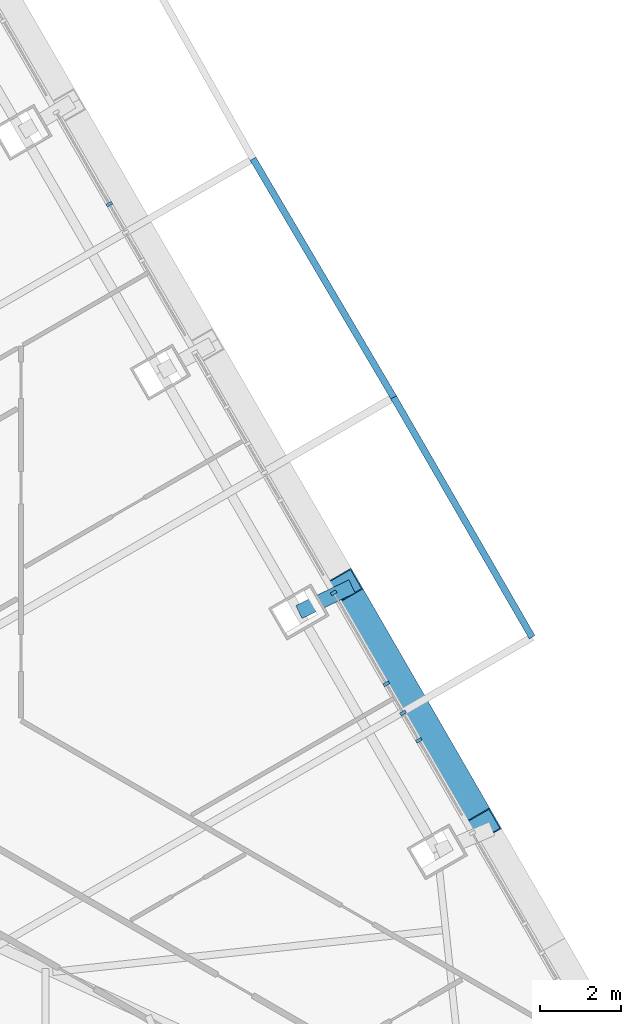
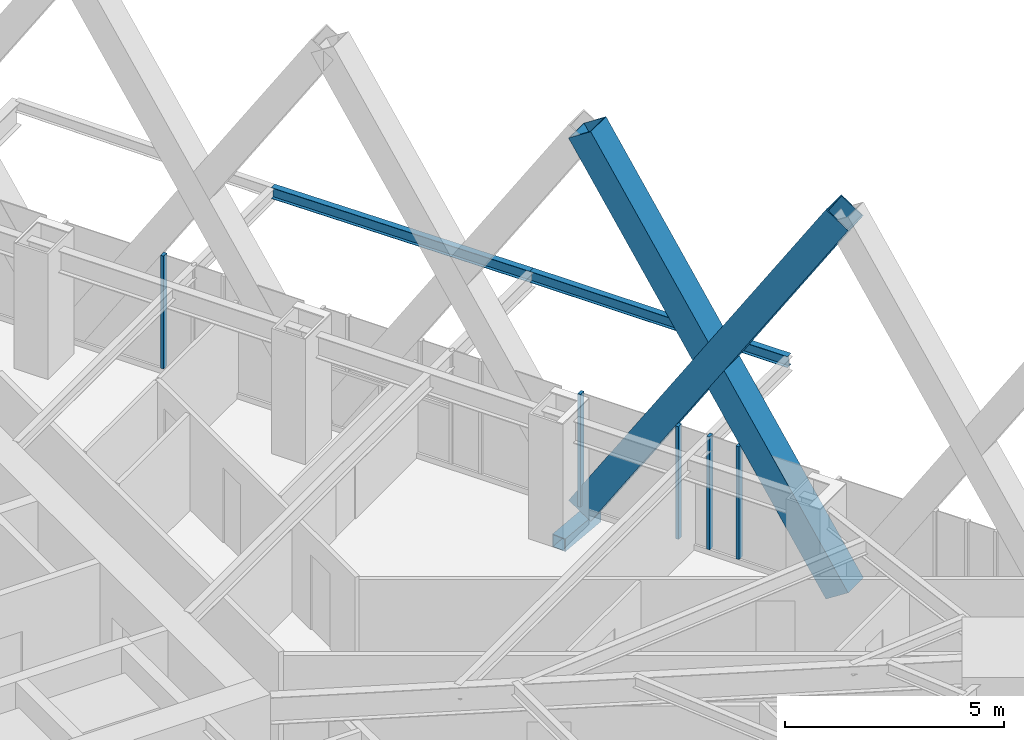
# One storey, part 10 of 24: 8 members, 2 beams, 1 element without a shape of its own.
"""IFC4 building model written with IfcOpenShell, lengths in metres."""

import ifcopenshell
import ifcopenshell.guid

model = None  # the IFC model being written
_history = None  # IfcOwnerHistory: only IFC2X3 demands one
_inside = {}  # id of a spatial element -> (the spatial element, [elements in it])
_under = {}  # id of a project, library or spatial element -> (it, [spatial elements below it])
_declared = {}  # id of a project -> (the project, [libraries it declares])
_typed = {}  # id of a type object -> (the type object, [elements of that type])
_made_of = {}  # id of a material, layer set ... -> (it, [elements and type objects made of it])


def new_model(schema):
    """Start an empty IFC model of exactly this schema.

    Asked for "IFC4X3", IfcOpenShell would pick the latest addendum, in which some entities
    have other attributes; the version numbers below select the first issue.
    IFC2X3 requires an IfcOwnerHistory on every rooted entity: one is made here for all.
    """
    global model, _history
    if schema == "IFC4X3":
        model = ifcopenshell.file(schema_version=(4, 3, 0, 0))
    else:
        model = ifcopenshell.file(schema=schema)
    _inside.clear()
    _under.clear()
    _declared.clear()
    _typed.clear()
    _made_of.clear()
    _history = None
    if model.schema == "IFC2X3":
        org = make("IfcOrganization", Name="unknown")
        user = make(
            "IfcPersonAndOrganization",
            ThePerson=make("IfcPerson", FamilyName="unknown"),
            TheOrganization=org,
        )
        app = make(
            "IfcApplication",
            ApplicationDeveloper=org,
            Version="unknown",
            ApplicationFullName="unknown",
            ApplicationIdentifier="unknown",
        )
        _history = make(
            "IfcOwnerHistory",
            OwningUser=user,
            OwningApplication=app,
            ChangeAction="ADDED",
            CreationDate=0,
        )
    return model


def make(cls, **values):
    """One entity of the class cls with the attributes given. An attribute that is None is left unset."""
    return model.create_entity(
        cls, **{name: value for name, value in values.items() if value is not None}
    )


def rooted(cls, **values):
    """An entity with a GlobalId (a new one), such as an element, a storey or a relation."""
    return make(cls, GlobalId=ifcopenshell.guid.new(), OwnerHistory=_history, **values)


def si_unit(unit_type, name, prefix=None):
    """IfcSIUnit, for example si_unit("LENGTHUNIT", "METRE", prefix="MILLI")."""
    return make("IfcSIUnit", UnitType=unit_type, Prefix=prefix, Name=name)


def assignment(units):
    """IfcUnitAssignment: the units of a project."""
    return None if units is None else make("IfcUnitAssignment", Units=units)


def point(xyz):
    """IfcCartesianPoint."""
    return None if xyz is None else make("IfcCartesianPoint", Coordinates=xyz)


def direction(xyz):
    """IfcDirection."""
    return None if xyz is None else make("IfcDirection", DirectionRatios=xyz)


def frame(location, z_axis=None, x_axis=None):
    """IfcAxis2Placement3D, a coordinate frame: its origin and axes. An axis left out is left unset."""
    return make(
        "IfcAxis2Placement3D",
        Location=point(location),
        Axis=direction(z_axis),
        RefDirection=direction(x_axis),
    )


def frame_2d(location, x_axis=None):
    """IfcAxis2Placement2D, a coordinate frame in the plane: its origin and x axis."""
    return make(
        "IfcAxis2Placement2D", Location=point(location), RefDirection=direction(x_axis)
    )


def origin():
    """The frame at (0, 0, 0) with its axes left unset."""
    return frame((0.0, 0.0, 0.0))


def origin_2d():
    """The frame at (0, 0) in the plane with its x axis left unset."""
    return frame_2d((0.0, 0.0))


def place(relative_to, where):
    """IfcLocalPlacement: puts the frame where relative to a parent placement (None: the world)."""
    return make(
        "IfcLocalPlacement", PlacementRelTo=relative_to, RelativePlacement=where
    )


def context(
    kind, dimensions, precision=None, world=None, true_north=None, identifier=None
):
    """IfcGeometricRepresentationContext, for example the 3D "Model" context."""
    return make(
        "IfcGeometricRepresentationContext",
        ContextIdentifier=identifier,
        ContextType=kind,
        CoordinateSpaceDimension=dimensions,
        Precision=precision,
        WorldCoordinateSystem=world,
        TrueNorth=true_north,
    )


def subcontext(parent, identifier, kind, view, scale=None):
    """IfcGeometricRepresentationSubContext, for example "Body" below "Model"."""
    return make(
        "IfcGeometricRepresentationSubContext",
        ContextIdentifier=identifier,
        ContextType=kind,
        ParentContext=parent,
        TargetScale=scale,
        TargetView=view,
    )


def project(units=None, contexts=None):
    """IfcProject with its units and contexts."""
    return rooted(
        "IfcProject",
        Name="project",
        RepresentationContexts=contexts,
        UnitsInContext=assignment(units),
    )


def spatial(cls, under=None, at=None, **own):
    """A site, building, storey or space (cls), placed at a placement, below another one or the project."""
    s = rooted(cls, ObjectPlacement=at, **own)
    if under is not None:
        _under.setdefault(under.id(), (under, []))[1].append(s)
    return s


def profile(cls, at=None, kind="AREA", **sizes):
    """A parametric profile (cls). Its sizes go by their IFC names, for example OverallWidth=200.0."""
    return make(cls, ProfileType=kind, Position=at, **sizes)


def rectangle(**sizes):
    """IfcRectangleProfileDef."""
    return profile("IfcRectangleProfileDef", **sizes)


def hollow_rectangle(**sizes):
    """IfcRectangleHollowProfileDef."""
    return profile("IfcRectangleHollowProfileDef", **sizes)


def i_section(**sizes):
    """IfcIShapeProfileDef."""
    return profile("IfcIShapeProfileDef", **sizes)


def extrude(swept, where, along, depth):
    """IfcExtrudedAreaSolid: the profile swept, set in the frame where, extruded along a direction by depth."""
    return make(
        "IfcExtrudedAreaSolid",
        SweptArea=swept,
        Position=where,
        ExtrudedDirection=direction(along),
        Depth=depth,
    )


def shape(context_of_items, identifier, shape_type, items):
    """IfcShapeRepresentation: the items that make up one representation, for example the "Body"."""
    return make(
        "IfcShapeRepresentation",
        ContextOfItems=context_of_items,
        RepresentationIdentifier=identifier,
        RepresentationType=shape_type,
        Items=items,
    )


def material(Name=None, Category=None):
    """IfcMaterial."""
    return make("IfcMaterial", Name=Name, Category=Category)


def layer(
    of_material, thickness, ventilated=None, Name=None, Category=None, Priority=None
):
    """IfcMaterialLayer: one layer of a wall or slab, of a material (None: an air gap)."""
    return make(
        "IfcMaterialLayer",
        Material=of_material,
        LayerThickness=thickness,
        IsVentilated=ventilated,
        Name=Name,
        Category=Category,
        Priority=Priority,
    )


def layer_set(layers, Name=None):
    """IfcMaterialLayerSet."""
    return make("IfcMaterialLayerSet", MaterialLayers=layers, LayerSetName=Name)


def material_profile(
    of_material, cross_section, Name=None, Category=None, Priority=None
):
    """IfcMaterialProfile: a cross section and its material."""
    return make(
        "IfcMaterialProfile",
        Name=Name,
        Material=of_material,
        Profile=cross_section,
        Priority=Priority,
        Category=Category,
    )


def profile_set(profiles, Name=None, composite=None):
    """IfcMaterialProfileSet."""
    return make(
        "IfcMaterialProfileSet",
        Name=Name,
        MaterialProfiles=profiles,
        CompositeProfile=composite,
    )


def made_of(thing, what):
    """Note that an element or type object is made of a material, layer set ...; save() writes the relation."""
    if what is not None:
        _made_of.setdefault(what.id(), (what, []))[1].append(thing)
    return thing


def type_object(cls, material=None, **own):
    """A type object (cls), such as IfcWallType, which elements share."""
    return made_of(rooted(cls, **own), material)


def element(
    cls,
    number,
    at=None,
    inside=None,
    cuts=None,
    type_object=None,
    material=None,
    context=None,
    identifier="Body",
    shape_type=None,
    held_by="IfcProductDefinitionShape",
    body=None,
    shapes=None,
    **own,
):
    """One element of the class cls, such as IfcWall. Its Tag is "e" and its number.

    at: its placement. inside: the storey or other place that contains it. cuts: it is an
    opening in that element (IfcRelVoidsElement). A single representation is given by context,
    identifier, shape_type and body (its items); several are given by shapes. held_by: the class
    of the entity that holds the representations. save() writes the other relations.
    """
    e = rooted(cls, Tag="e%d" % number, ObjectPlacement=at, **own)
    if body is not None:
        shapes = [shape(context, identifier, shape_type, body)]
    if shapes is not None:
        e.Representation = make(held_by, Representations=shapes)
    if inside is not None:
        _inside.setdefault(inside.id(), (inside, []))[1].append(e)
    if cuts is not None:
        rooted(
            "IfcRelVoidsElement", RelatingBuildingElement=cuts, RelatedOpeningElement=e
        )
    if type_object is not None:
        _typed.setdefault(type_object.id(), (type_object, []))[1].append(e)
    return made_of(e, material)


def aggregate(whole, parts):
    """IfcRelAggregates: a whole, such as a stair, and the parts it consists of."""
    return rooted("IfcRelAggregates", RelatingObject=whole, RelatedObjects=parts)


def save(model, path):
    """Write the relations noted so far, then the file.

    IfcRelAggregates (storeys below a building ...), IfcRelContainedInSpatialStructure (elements
    in a storey), IfcRelDefinesByType, IfcRelAssociatesMaterial and IfcRelDeclares: one each for
    every whole, place, type object, material and project.
    """
    for whole, parts in _under.values():
        aggregate(whole, parts)
    for where, things in _inside.values():
        rooted(
            "IfcRelContainedInSpatialStructure",
            RelatedElements=things,
            RelatingStructure=where,
        )
    for kind, things in _typed.values():
        rooted("IfcRelDefinesByType", RelatedObjects=things, RelatingType=kind)
    for what, things in _made_of.values():
        rooted("IfcRelAssociatesMaterial", RelatedObjects=things, RelatingMaterial=what)
    for by, libraries in _declared.values():
        rooted("IfcRelDeclares", RelatingContext=by, RelatedDefinitions=libraries)
    model.write(path)


model = new_model("IFC4")

# Units and contexts
model_context = context("Model", 3, precision=1e-05, world=origin(), true_north=direction((0.0, 1.0)))
body_context = subcontext(model_context, "Body", "Model", "MODEL_VIEW")
ifc_project = project(units=[si_unit("LENGTHUNIT", "METRE"), si_unit("AREAUNIT", "SQUARE_METRE"), si_unit("VOLUMEUNIT", "CUBIC_METRE"), si_unit("PLANEANGLEUNIT", "RADIAN"), si_unit("MASSUNIT", "GRAM", prefix="KILO")], contexts=[model_context])

# Site, building, storey
site_placement = place(None, origin())
site = spatial("IfcSite", under=ifc_project, at=site_placement, CompositionType="ELEMENT")
building_placement = place(site_placement, origin())
building = spatial("IfcBuilding", under=site, at=building_placement, Name="Firuza Gate Tower and Library", CompositionType="ELEMENT")
storey_placement = place(building_placement, frame((0.0, 0.0, 260.10009765625)))
storey = spatial("IfcBuildingStorey", under=building, at=storey_placement, Name="L61", CompositionType="ELEMENT", Elevation=260.10009765625)

# Members
ifc_material_1 = material(Name="Steel S355", Category="steel")
ifc_material_profile_1 = material_profile(ifc_material_1, hollow_rectangle(XDim=0.699951171875, YDim=0.699951171875, WallThickness=0.030029296875, at=origin_2d()))
ifc_profile_set_1 = profile_set([ifc_material_profile_1], Name="Steel S355")
member_type_1 = type_object("IfcMemberType", Name="BU700x700x30 Lattice brace", PredefinedType="BRACE", material=ifc_profile_set_1)
for number, where, z_axis, x_axis, name in (
    (1, (99.346435546875, 69.426513671875, 0.0), (-0.271802769294, 0.470751389254, 0.839354742716), (-0.866013990052, -0.500019768644, 0.0), "Lattice brace E 15.2R"),
    (2, (95.9462890625, 75.3154296875, 0.0), (0.271802769294, -0.470751389254, 0.839354742716), (0.866013990052, 0.500019768644, 0.0), "Lattice brace E 15.2L"),
):
    element("IfcMember", number, at=place(storey_placement, frame(where, z_axis=z_axis, x_axis=x_axis)), inside=storey, type_object=member_type_1, Name=name, PredefinedType="BRACE", context=body_context, shape_type="SweptSolid", body=[
        extrude(hollow_rectangle(XDim=0.699951171875, YDim=0.699951171875, WallThickness=0.030029296875, at=origin_2d()), origin(), (0.0, 0.0, 1.0), 12.509521484375),
    ])

# Curtain wall, members
ifc_material_2 = material(Name="Aluminium 6063-T6", Category="aluminium")
ifc_layer = layer(ifc_material_2, 0.14990234375)
ifc_layer_set = layer_set([ifc_layer], Name="Unitised curtain wall, residences")
curtain_wall_type = type_object("IfcCurtainWallType", Name="Unitised curtain wall, residences", PredefinedType="NOTDEFINED", material=ifc_layer_set)
curtain_wall_placement = place(storey_placement, origin())
curtain_wall = element("IfcCurtainWall", 3, at=curtain_wall_placement, inside=storey, type_object=curtain_wall_type, Name="CW3 L61 E face", PredefinedType="NOTDEFINED")
ifc_material_3 = material(Name="Aluminium 6063-T6", Category="aluminium")
ifc_material_profile_2 = material_profile(ifc_material_3, rectangle(XDim=0.14990234375, YDim=0.080078125, at=origin_2d()))
ifc_profile_set_2 = profile_set([ifc_material_profile_2], Name="Aluminium 6063-T6")
member_type_2 = type_object("IfcMemberType", Name="Curtain wall mullion 80x150", PredefinedType="MULLION", material=ifc_profile_set_2)
member_1_placement = place(storey_placement, frame((97.37744140625, 72.18701171875, 0.14990234375), z_axis=(0.0, 0.0, 1.0), x_axis=(-0.866025403784, -0.5, 0.0)))
member_1 = element("IfcMember", 4, at=member_1_placement, type_object=member_type_2, Name="Mullion", PredefinedType="MULLION", context=body_context, shape_type="SweptSolid", body=[
    extrude(rectangle(XDim=0.14990234375, YDim=0.080078125, at=origin_2d()), origin(), (0.0, 0.0, 1.0), 3.14990234375),
])
member_2_placement = place(storey_placement, frame((95.67431640625, 75.136962890625, 0.14990234375), z_axis=(0.0, 0.0, 1.0), x_axis=(-0.866025403784, -0.5, 0.0)))
member_2 = element("IfcMember", 5, at=member_2_placement, type_object=member_type_2, Name="Mullion", PredefinedType="MULLION", context=body_context, shape_type="SweptSolid", body=[
    extrude(rectangle(XDim=0.14990234375, YDim=0.080078125, at=origin_2d()), origin(), (0.0, 0.0, 1.0), 3.14990234375),
])
member_3_placement = place(storey_placement, frame((97.765380859375, 71.514892578125, 0.14990234375), z_axis=(0.0, 0.0, 1.0), x_axis=(-0.866025403784, -0.5, 0.0)))
member_3 = element("IfcMember", 6, at=member_3_placement, type_object=member_type_2, Name="Mullion", PredefinedType="MULLION", context=body_context, shape_type="SweptSolid", body=[
    extrude(rectangle(XDim=0.14990234375, YDim=0.080078125, at=origin_2d()), origin(), (0.0, 0.0, 1.0), 3.14990234375),
])
member_4_placement = place(storey_placement, frame((96.964599609375, 72.902099609375, 0.14990234375), z_axis=(0.0, 0.0, 1.0), x_axis=(-0.866025403784, -0.5, 0.0)))
member_4 = element("IfcMember", 7, at=member_4_placement, type_object=member_type_2, Name="Mullion", PredefinedType="MULLION", context=body_context, shape_type="SweptSolid", body=[
    extrude(rectangle(XDim=0.14990234375, YDim=0.080078125, at=origin_2d()), origin(), (0.0, 0.0, 1.0), 3.14990234375),
])
member_5_placement = place(storey_placement, frame((90.16455078125, 84.679931640625, 0.14990234375), z_axis=(0.0, 0.0, 1.0), x_axis=(-0.866025403784, -0.5, 0.0)))
member_5 = element("IfcMember", 8, at=member_5_placement, type_object=member_type_2, Name="Mullion", PredefinedType="MULLION", context=body_context, shape_type="SweptSolid", body=[
    extrude(rectangle(XDim=0.14990234375, YDim=0.080078125, at=origin_2d()), origin(), (0.0, 0.0, 1.0), 3.14990234375),
])
aggregate(curtain_wall, [member_1, member_2, member_3, member_4, member_5])

# Member
ifc_material_4 = material(Name="Steel S355", Category="steel")
ifc_material_profile_3 = material_profile(ifc_material_4, hollow_rectangle(XDim=0.355712890625, YDim=0.355712890625, WallThickness=0.014892578125, at=origin_2d()))
ifc_profile_set_3 = profile_set([ifc_material_profile_3], Name="Steel S355")
member_type_3 = type_object("IfcMemberType", Name="HSS356x356x16 Lattice node tie", PredefinedType="BRACE", material=ifc_profile_set_3)
member_6_placement = place(storey_placement, frame((94.820556640625, 74.66552734375, -0.320068359375), z_axis=(0.90064264496, 0.434560497606, 0.0), x_axis=(-0.434560497606, 0.90064264496, 0.0)))
element("IfcMember", 9, at=member_6_placement, inside=storey, type_object=member_type_3, Name="Lattice node tie E L61 372", PredefinedType="BRACE", context=body_context, shape_type="SweptSolid", body=[
    extrude(hollow_rectangle(XDim=0.355712890625, YDim=0.355712890625, WallThickness=0.014892578125, at=origin_2d()), origin(), (0.0, 0.0, 1.0), 1.4482421875),
])

# Beams
ifc_material_5 = material(Name="Steel S355", Category="steel")
ifc_material_profile_4 = material_profile(ifc_material_5, i_section(OverallWidth=0.1650390625, OverallDepth=0.31005859375, WebThickness=0.005859375, FlangeThickness=0.009765625, at=origin_2d()))
ifc_profile_set_4 = profile_set([ifc_material_profile_4], Name="Steel S355")
beam_type = type_object("IfcBeamType", Name="W310x39 Floor beam", PredefinedType="JOIST", material=ifc_profile_set_4)
beam_1_placement = place(storey_placement, frame((100.547607421875, 74.0458984375, 3.14501953125), z_axis=(-0.499977295307, 0.866038511948, 0.0), x_axis=(-0.866038511948, -0.499977295307, 0.0)))
element("IfcBeam", 10, at=beam_1_placement, inside=storey, type_object=beam_type, Name="Tray edge beam L61 s50-s51", PredefinedType="JOIST", context=body_context, shape_type="SweptSolid", body=[
    extrude(i_section(OverallWidth=0.1650390625, OverallDepth=0.31005859375, WebThickness=0.005859375, FlangeThickness=0.009765625, at=origin_2d()), origin(), (0.0, 0.0, 1.0), 6.800048828125),
])
beam_2_placement = place(storey_placement, frame((97.147705078125, 79.93505859375, 3.14501953125), z_axis=(-0.507827920171, 0.861458532661, 0.0), x_axis=(-0.861458532661, -0.507827920171, 0.0)))
element("IfcBeam", 11, at=beam_2_placement, inside=storey, type_object=beam_type, Name="Tray edge beam L61 s51-s52", PredefinedType="JOIST", context=body_context, shape_type="SweptSolid", body=[
    extrude(i_section(OverallWidth=0.1650390625, OverallDepth=0.31005859375, WebThickness=0.005859375, FlangeThickness=0.009765625, at=origin_2d()), origin(), (0.0, 0.0, 1.0), 6.80029296875),
])

save(model, "model.ifc")
